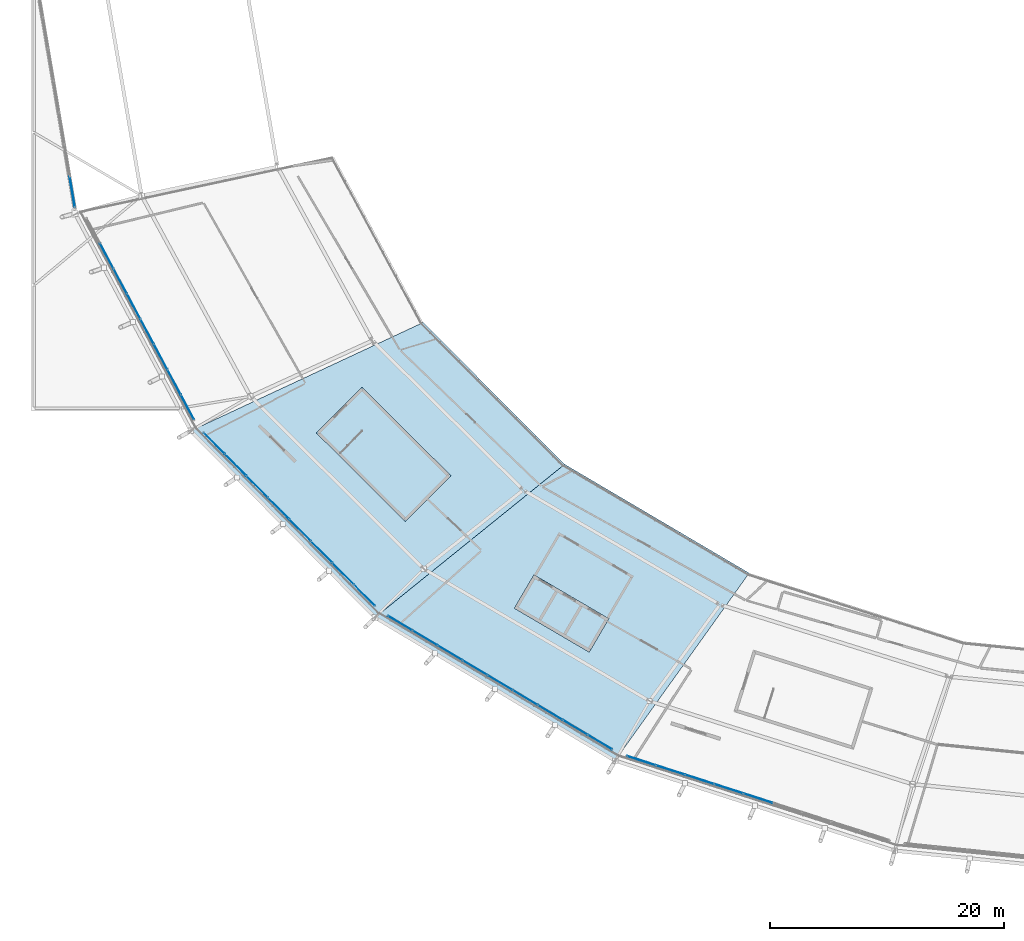
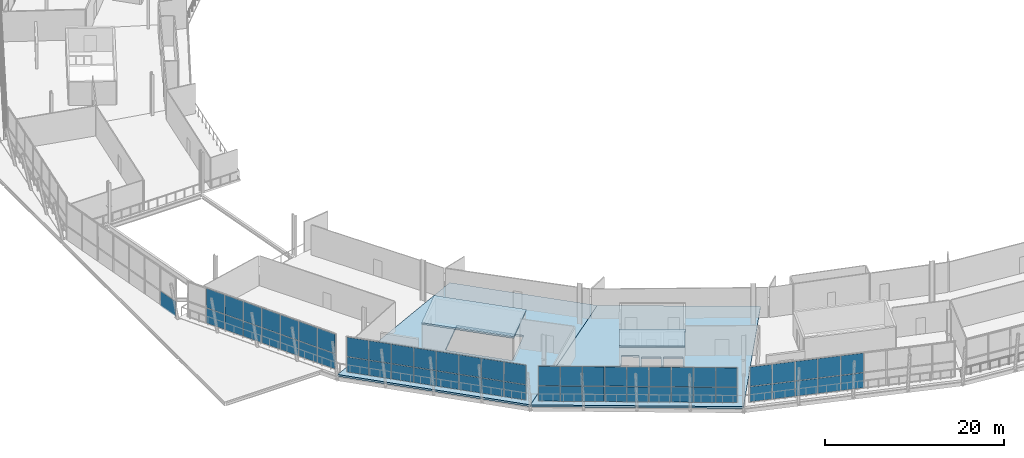
# One storey, part 54 of 99: 59 plates, 4 slabs, 5 elements without a shape of their own.
"""IFC4 building model written with IfcOpenShell, lengths in metres."""

from ifc_helpers import new_model, si_unit, direction, frame, origin, origin_2d, place, context, subcontext, project, spatial, polyline, rectangle, outline, extrude, material, layer, layer_set, type_object, element, aggregate, save


model = new_model("IFC4")

# Units and contexts
model_context = context("Model", 3, precision=1e-05, world=origin(), true_north=direction((0.0, 1.0)))
body_context = subcontext(model_context, "Body", "Model", "MODEL_VIEW")
ifc_project = project(units=[si_unit("LENGTHUNIT", "METRE"), si_unit("AREAUNIT", "SQUARE_METRE"), si_unit("VOLUMEUNIT", "CUBIC_METRE"), si_unit("PLANEANGLEUNIT", "RADIAN"), si_unit("MASSUNIT", "GRAM", prefix="KILO")], contexts=[model_context])

# Site, building, storey
site_placement = place(None, origin())
site = spatial("IfcSite", under=ifc_project, at=site_placement, CompositionType="ELEMENT")
building_placement = place(site_placement, origin())
building = spatial("IfcBuilding", under=site, at=building_placement, Name="Zlatoyarsky Gate Stadium", CompositionType="ELEMENT")
storey_placement = place(building_placement, frame((0.0, 0.0, 26.199951171875)))
storey = spatial("IfcBuildingStorey", under=building, at=storey_placement, Name="L05", CompositionType="ELEMENT", Elevation=26.199951171875)

# Curtain wall, plate
ifc_material_1 = material(Name="Thermally broken anodised aluminium curtain wall", Category="aluminium")
curtain_wall_type_1 = type_object("IfcCurtainWallType", Name="MONUMENTAL ARCHED GATE GLAZING UPPER", PredefinedType="USERDEFINED", material=ifc_material_1)
curtain_wall_1_placement = place(storey_placement, origin())
curtain_wall_1 = element("IfcCurtainWall", 1, at=curtain_wall_1_placement, inside=storey, type_object=curtain_wall_type_1, Name="Curtain wall CW-L05-12", ObjectType="ARCHED GATE GLAZING", PredefinedType="USERDEFINED")
ifc_material_2 = material(Name="Triple-glazed argon low-e architectural glass", Category="glass")
ifc_layer_1 = layer(ifc_material_2, 0.0458984375)
ifc_layer_set_1 = layer_set([ifc_layer_1], Name="Triple-glazed argon low-e architectural glass")
plate_type_1 = type_object("IfcPlateType", Name="ACOUSTIC LAMINATED GATE GLAZING PANEL 46", PredefinedType="CURTAIN_PANEL", material=ifc_layer_set_1)
plate_1_placement = place(storey_placement, frame((15.260498046875, 61.941650390625, -0.18505859375), z_axis=(0.0, 0.0, 1.0), x_axis=(0.166995052945, -0.985957733522, 0.0)))
plate_1 = element("IfcPlate", 2, at=plate_1_placement, type_object=plate_type_1, Name="CW-AG2 panel 7.1", PredefinedType="CURTAIN_PANEL", context=body_context, shape_type="SweptSolid", body=[
    extrude(rectangle(XDim=2.638916015625, YDim=0.0458984375, at=origin_2d()), origin(), (0.0, 0.0, 1.0), 2.03759765625),
])
aggregate(curtain_wall_1, [plate_1])

# Slabs
ifc_material_3 = material(Name="Concrete C40/50", Category="concrete")
ifc_layer_2 = layer(ifc_material_3, 0.239990234375)
ifc_layer_set_2 = layer_set([ifc_layer_2], Name="Concrete C40/50")
slab_type_1 = type_object("IfcSlabType", Name="CONCRETE CORE TOP CAP SLAB 240", PredefinedType="ROOF", material=ifc_layer_set_2)
slab_1_placement = place(storey_placement, frame((0.0, 0.0, 3.199951171875)))
element("IfcSlab", 3, at=slab_1_placement, inside=storey, type_object=slab_type_1, Name="ST-08 stair headhouse roof cap", PredefinedType="ROOF", context=body_context, shape_type="SweptSolid", body=[
    extrude(outline(polyline([(36.08154296875, 41.3798828125), (43.666748046875, 33.8330078125), (47.5458984375, 37.73193359375), (39.960693359375, 45.27880859375), (36.08154296875, 41.3798828125)])), origin(), (0.0, 0.0, 1.0), 0.239990234375),
])
slab_2_placement = place(storey_placement, frame((0.0, 0.0, 3.199951171875)))
element("IfcSlab", 4, at=slab_2_placement, inside=storey, type_object=slab_type_1, Name="C3 lift overrun top cap slab", PredefinedType="ROOF", context=body_context, shape_type="SweptSolid", body=[
    extrude(outline(polyline([(52.96923828125, 26.424560546875), (59.354248046875, 22.68408203125), (61.022216796875, 25.531494140625), (54.63720703125, 29.27197265625), (52.96923828125, 26.424560546875)])), origin(), (0.0, 0.0, 1.0), 0.239990234375),
])
ifc_layer_3 = layer(ifc_material_3, 0.260009765625)
ifc_layer_set_3 = layer_set([ifc_layer_3], Name="Concrete C40/50")
slab_type_2 = type_object("IfcSlabType", Name="CONCRETE SKYBOX SLAB 260", PredefinedType="FLOOR", material=ifc_layer_set_3)
slab_3_placement = place(storey_placement, frame((0.0, 0.0, -0.260009765625)))
element("IfcSlab", 5, at=slab_3_placement, inside=storey, type_object=slab_type_2, Name="L05 bowl sector 14 slab", PredefinedType="FLOOR", context=body_context, shape_type="SweptSolid", body=[
    extrude(outline(polyline([(57.260009765625, 38.705078125), (41.08251953125, 25.638916015625), (25.369140625, 41.56103515625), (45.18212890625, 50.800048828125), (57.260009765625, 38.705078125)]), holes=[polyline([(38.171875, 39.652587890625), (43.665771484375, 34.1865234375), (47.1923828125, 37.731201171875), (41.6982421875, 43.197265625), (38.171875, 39.652587890625)])]), origin(), (0.0, 0.0, 1.0), 0.260009765625),
])
slab_4_placement = place(storey_placement, frame((0.0, 0.0, -0.260009765625)))
element("IfcSlab", 6, at=slab_4_placement, inside=storey, type_object=slab_type_2, Name="L05 bowl sector 15 slab", PredefinedType="FLOOR", context=body_context, shape_type="SweptSolid", body=[
    extrude(outline(polyline([(73.0, 29.424072265625), (61.560791015625, 13.421630859375), (41.08251953125, 25.638916015625), (57.260009765625, 38.705078125), (73.0, 29.424072265625)]), holes=[polyline([(59.264892578125, 23.0263671875), (60.528564453125, 25.183349609375), (58.63037109375, 26.29541015625), (57.36669921875, 24.13818359375), (59.264892578125, 23.0263671875)]), polyline([(57.15087890625, 24.2646484375), (58.41455078125, 26.421875), (56.516357421875, 27.53369140625), (55.252685546875, 25.376708984375), (57.15087890625, 24.2646484375)]), polyline([(53.311279296875, 26.513916015625), (55.037109375, 25.5029296875), (56.452392578125, 27.9189453125), (54.7265625, 28.929931640625), (53.311279296875, 26.513916015625)])]), origin(), (0.0, 0.0, 1.0), 0.260009765625),
])

# Curtain wall, plates
curtain_wall_type_2 = type_object("IfcCurtainWallType", Name="UNITISED SKYBOX RING GLAZING L05", PredefinedType="USERDEFINED", material=ifc_material_1)
curtain_wall_2_placement = place(storey_placement, origin())
curtain_wall_2 = element("IfcCurtainWall", 7, at=curtain_wall_2_placement, inside=storey, type_object=curtain_wall_type_2, Name="Curtain wall CW-L05-13", ObjectType="UNITISED GLAZING", PredefinedType="USERDEFINED")
ifc_layer_4 = layer(ifc_material_2, 0.0380859375)
ifc_layer_set_4 = layer_set([ifc_layer_4], Name="Triple-glazed argon low-e architectural glass")
plate_type_2 = type_object("IfcPlateType", Name="TRIPLE GLAZED LOW E CURTAIN PANEL 38", PredefinedType="CURTAIN_PANEL", material=ifc_layer_set_4)
plate_2_placement = place(storey_placement, frame((18.197509765625, 56.48046875, 0.06494140625), z_axis=(0.0, 0.0, 1.0), x_axis=(0.470937199667, -0.882166738191, 0.0)))
plate_2 = element("IfcPlate", 8, at=plate_2_placement, type_object=plate_type_2, Name="CW-UG5 panel 2.1", PredefinedType="CURTAIN_PANEL", context=body_context, shape_type="SweptSolid", body=[
    extrude(rectangle(XDim=2.375732421875, YDim=0.0380859375, at=origin_2d()), origin(), (0.0, 0.0, 1.0), 2.052490234375),
])
plate_3_placement = place(storey_placement, frame((18.197509765625, 56.48046875, 2.1826171875), z_axis=(0.0, 0.0, 1.0), x_axis=(0.470937199667, -0.882166738191, 0.0)))
plate_3 = element("IfcPlate", 9, at=plate_3_placement, type_object=plate_type_2, Name="CW-UG5 panel 2.2", PredefinedType="CURTAIN_PANEL", context=body_context, shape_type="SweptSolid", body=[
    extrude(rectangle(XDim=2.375732421875, YDim=0.0380859375, at=origin_2d()), origin(), (0.0, 0.0, 1.0), 2.632568359375),
])
plate_4_placement = place(storey_placement, frame((19.346923828125, 54.3271484375, 0.06494140625), z_axis=(0.0, 0.0, 1.0), x_axis=(0.470937199667, -0.882166738191, 0.0)))
plate_4 = element("IfcPlate", 10, at=plate_4_placement, type_object=plate_type_2, Name="CW-UG5 panel 3.1", PredefinedType="CURTAIN_PANEL", context=body_context, shape_type="SweptSolid", body=[
    extrude(rectangle(XDim=2.375732421875, YDim=0.0380859375, at=origin_2d()), origin(), (0.0, 0.0, 1.0), 2.052490234375),
])
plate_5_placement = place(storey_placement, frame((19.346923828125, 54.3271484375, 2.1826171875), z_axis=(0.0, 0.0, 1.0), x_axis=(0.470937199667, -0.882166738191, 0.0)))
plate_5 = element("IfcPlate", 11, at=plate_5_placement, type_object=plate_type_2, Name="CW-UG5 panel 3.2", PredefinedType="CURTAIN_PANEL", context=body_context, shape_type="SweptSolid", body=[
    extrude(rectangle(XDim=2.375732421875, YDim=0.0380859375, at=origin_2d()), origin(), (0.0, 0.0, 1.0), 2.632568359375),
])
plate_6_placement = place(storey_placement, frame((20.49658203125, 52.174072265625, 0.06494140625), z_axis=(0.0, 0.0, 1.0), x_axis=(0.470937199667, -0.882166738191, 0.0)))
plate_6 = element("IfcPlate", 12, at=plate_6_placement, type_object=plate_type_2, Name="CW-UG5 panel 4.1", PredefinedType="CURTAIN_PANEL", context=body_context, shape_type="SweptSolid", body=[
    extrude(rectangle(XDim=2.375732421875, YDim=0.0380859375, at=origin_2d()), origin(), (0.0, 0.0, 1.0), 2.052490234375),
])
plate_7_placement = place(storey_placement, frame((20.49658203125, 52.174072265625, 2.1826171875), z_axis=(0.0, 0.0, 1.0), x_axis=(0.470937199667, -0.882166738191, 0.0)))
plate_7 = element("IfcPlate", 13, at=plate_7_placement, type_object=plate_type_2, Name="CW-UG5 panel 4.2", PredefinedType="CURTAIN_PANEL", context=body_context, shape_type="SweptSolid", body=[
    extrude(rectangle(XDim=2.375732421875, YDim=0.0380859375, at=origin_2d()), origin(), (0.0, 0.0, 1.0), 2.632568359375),
])
plate_8_placement = place(storey_placement, frame((21.64599609375, 50.020751953125, 0.06494140625), z_axis=(0.0, 0.0, 1.0), x_axis=(0.470937199667, -0.882166738191, 0.0)))
plate_8 = element("IfcPlate", 14, at=plate_8_placement, type_object=plate_type_2, Name="CW-UG5 panel 5.1", PredefinedType="CURTAIN_PANEL", context=body_context, shape_type="SweptSolid", body=[
    extrude(rectangle(XDim=2.375732421875, YDim=0.0380859375, at=origin_2d()), origin(), (0.0, 0.0, 1.0), 2.052490234375),
])
plate_9_placement = place(storey_placement, frame((21.64599609375, 50.020751953125, 2.1826171875), z_axis=(0.0, 0.0, 1.0), x_axis=(0.470937199667, -0.882166738191, 0.0)))
plate_9 = element("IfcPlate", 15, at=plate_9_placement, type_object=plate_type_2, Name="CW-UG5 panel 5.2", PredefinedType="CURTAIN_PANEL", context=body_context, shape_type="SweptSolid", body=[
    extrude(rectangle(XDim=2.375732421875, YDim=0.0380859375, at=origin_2d()), origin(), (0.0, 0.0, 1.0), 2.632568359375),
])
plate_10_placement = place(storey_placement, frame((22.79541015625, 47.867431640625, 0.06494140625), z_axis=(0.0, 0.0, 1.0), x_axis=(0.470937199667, -0.882166738191, 0.0)))
plate_10 = element("IfcPlate", 16, at=plate_10_placement, type_object=plate_type_2, Name="CW-UG5 panel 6.1", PredefinedType="CURTAIN_PANEL", context=body_context, shape_type="SweptSolid", body=[
    extrude(rectangle(XDim=2.375732421875, YDim=0.0380859375, at=origin_2d()), origin(), (0.0, 0.0, 1.0), 2.052490234375),
])
plate_11_placement = place(storey_placement, frame((22.79541015625, 47.867431640625, 2.1826171875), z_axis=(0.0, 0.0, 1.0), x_axis=(0.470937199667, -0.882166738191, 0.0)))
plate_11 = element("IfcPlate", 17, at=plate_11_placement, type_object=plate_type_2, Name="CW-UG5 panel 6.2", PredefinedType="CURTAIN_PANEL", context=body_context, shape_type="SweptSolid", body=[
    extrude(rectangle(XDim=2.375732421875, YDim=0.0380859375, at=origin_2d()), origin(), (0.0, 0.0, 1.0), 2.632568359375),
])
plate_12_placement = place(storey_placement, frame((23.945068359375, 45.71435546875, 0.06494140625), z_axis=(0.0, 0.0, 1.0), x_axis=(0.470937199667, -0.882166738191, 0.0)))
plate_12 = element("IfcPlate", 18, at=plate_12_placement, type_object=plate_type_2, Name="CW-UG5 panel 7.1", PredefinedType="CURTAIN_PANEL", context=body_context, shape_type="SweptSolid", body=[
    extrude(rectangle(XDim=2.375732421875, YDim=0.0380859375, at=origin_2d()), origin(), (0.0, 0.0, 1.0), 2.052490234375),
])
plate_13_placement = place(storey_placement, frame((23.945068359375, 45.71435546875, 2.1826171875), z_axis=(0.0, 0.0, 1.0), x_axis=(0.470937199667, -0.882166738191, 0.0)))
plate_13 = element("IfcPlate", 19, at=plate_13_placement, type_object=plate_type_2, Name="CW-UG5 panel 7.2", PredefinedType="CURTAIN_PANEL", context=body_context, shape_type="SweptSolid", body=[
    extrude(rectangle(XDim=2.375732421875, YDim=0.0380859375, at=origin_2d()), origin(), (0.0, 0.0, 1.0), 2.632568359375),
])
plate_14_placement = place(storey_placement, frame((25.0869140625, 43.575439453125, 0.06494140625), z_axis=(0.0, 0.0, 1.0), x_axis=(0.470937199667, -0.882166738191, 0.0)))
plate_14 = element("IfcPlate", 20, at=plate_14_placement, type_object=plate_type_2, Name="CW-UG5 panel 8.1", PredefinedType="CURTAIN_PANEL", context=body_context, shape_type="SweptSolid", body=[
    extrude(rectangle(XDim=2.34326171875, YDim=0.0380859375, at=origin_2d()), origin(), (0.0, 0.0, 1.0), 2.052490234375),
])
plate_15_placement = place(storey_placement, frame((25.0869140625, 43.575439453125, 2.1826171875), z_axis=(0.0, 0.0, 1.0), x_axis=(0.470937199667, -0.882166738191, 0.0)))
plate_15 = element("IfcPlate", 21, at=plate_15_placement, type_object=plate_type_2, Name="CW-UG5 panel 8.2", PredefinedType="CURTAIN_PANEL", context=body_context, shape_type="SweptSolid", body=[
    extrude(rectangle(XDim=2.34326171875, YDim=0.0380859375, at=origin_2d()), origin(), (0.0, 0.0, 1.0), 2.632568359375),
])
aggregate(curtain_wall_2, [plate_2, plate_3, plate_4, plate_5, plate_6, plate_7, plate_8, plate_9, plate_10, plate_11, plate_12, plate_13, plate_14, plate_15])

curtain_wall_3_placement = place(storey_placement, origin())
curtain_wall_3 = element("IfcCurtainWall", 22, at=curtain_wall_3_placement, inside=storey, type_object=curtain_wall_type_2, Name="Curtain wall CW-L05-14", ObjectType="UNITISED GLAZING", PredefinedType="USERDEFINED")
plate_16_placement = place(storey_placement, frame((27.36181640625, 40.509033203125, 0.06494140625), z_axis=(0.0, 0.0, 1.0), x_axis=(0.70315589898, -0.711035710587, 0.0)))
plate_16 = element("IfcPlate", 23, at=plate_16_placement, type_object=plate_type_2, Name="CW-UG5 panel 1.1", PredefinedType="CURTAIN_PANEL", context=body_context, shape_type="SweptSolid", body=[
    extrude(rectangle(XDim=2.513671875, YDim=0.0380859375, at=origin_2d()), origin(), (0.0, 0.0, 1.0), 2.052490234375),
])
plate_17_placement = place(storey_placement, frame((27.36181640625, 40.509033203125, 2.1826171875), z_axis=(0.0, 0.0, 1.0), x_axis=(0.70315589898, -0.711035710587, 0.0)))
plate_17 = element("IfcPlate", 24, at=plate_17_placement, type_object=plate_type_2, Name="CW-UG5 panel 1.2", PredefinedType="CURTAIN_PANEL", context=body_context, shape_type="SweptSolid", body=[
    extrude(rectangle(XDim=2.513671875, YDim=0.0380859375, at=origin_2d()), origin(), (0.0, 0.0, 1.0), 2.632568359375),
])
plate_18_placement = place(storey_placement, frame((29.1865234375, 38.663818359375, 0.06494140625), z_axis=(0.0, 0.0, 1.0), x_axis=(0.70315589898, -0.711035710587, 0.0)))
plate_18 = element("IfcPlate", 25, at=plate_18_placement, type_object=plate_type_2, Name="CW-UG5 panel 2.1", PredefinedType="CURTAIN_PANEL", context=body_context, shape_type="SweptSolid", body=[
    extrude(rectangle(XDim=2.546142578125, YDim=0.0380859375, at=origin_2d()), origin(), (0.0, 0.0, 1.0), 2.052490234375),
])
plate_19_placement = place(storey_placement, frame((29.1865234375, 38.663818359375, 2.1826171875), z_axis=(0.0, 0.0, 1.0), x_axis=(0.70315589898, -0.711035710587, 0.0)))
plate_19 = element("IfcPlate", 26, at=plate_19_placement, type_object=plate_type_2, Name="CW-UG5 panel 2.2", PredefinedType="CURTAIN_PANEL", context=body_context, shape_type="SweptSolid", body=[
    extrude(rectangle(XDim=2.546142578125, YDim=0.0380859375, at=origin_2d()), origin(), (0.0, 0.0, 1.0), 2.632568359375),
])
plate_20_placement = place(storey_placement, frame((31.0224609375, 36.807373046875, 0.06494140625), z_axis=(0.0, 0.0, 1.0), x_axis=(0.70315589898, -0.711035710587, 0.0)))
plate_20 = element("IfcPlate", 27, at=plate_20_placement, type_object=plate_type_2, Name="CW-UG5 panel 3.1", PredefinedType="CURTAIN_PANEL", context=body_context, shape_type="SweptSolid", body=[
    extrude(rectangle(XDim=2.546142578125, YDim=0.0380859375, at=origin_2d()), origin(), (0.0, 0.0, 1.0), 2.052490234375),
])
plate_21_placement = place(storey_placement, frame((31.0224609375, 36.807373046875, 2.1826171875), z_axis=(0.0, 0.0, 1.0), x_axis=(0.70315589898, -0.711035710587, 0.0)))
plate_21 = element("IfcPlate", 28, at=plate_21_placement, type_object=plate_type_2, Name="CW-UG5 panel 3.2", PredefinedType="CURTAIN_PANEL", context=body_context, shape_type="SweptSolid", body=[
    extrude(rectangle(XDim=2.546142578125, YDim=0.0380859375, at=origin_2d()), origin(), (0.0, 0.0, 1.0), 2.632568359375),
])
plate_22_placement = place(storey_placement, frame((32.8583984375, 34.95068359375, 0.06494140625), z_axis=(0.0, 0.0, 1.0), x_axis=(0.70315589898, -0.711035710587, 0.0)))
plate_22 = element("IfcPlate", 29, at=plate_22_placement, type_object=plate_type_2, Name="CW-UG5 panel 4.1", PredefinedType="CURTAIN_PANEL", context=body_context, shape_type="SweptSolid", body=[
    extrude(rectangle(XDim=2.546142578125, YDim=0.0380859375, at=origin_2d()), origin(), (0.0, 0.0, 1.0), 2.052490234375),
])
plate_23_placement = place(storey_placement, frame((32.8583984375, 34.95068359375, 2.1826171875), z_axis=(0.0, 0.0, 1.0), x_axis=(0.70315589898, -0.711035710587, 0.0)))
plate_23 = element("IfcPlate", 30, at=plate_23_placement, type_object=plate_type_2, Name="CW-UG5 panel 4.2", PredefinedType="CURTAIN_PANEL", context=body_context, shape_type="SweptSolid", body=[
    extrude(rectangle(XDim=2.546142578125, YDim=0.0380859375, at=origin_2d()), origin(), (0.0, 0.0, 1.0), 2.632568359375),
])
plate_24_placement = place(storey_placement, frame((34.6943359375, 33.09423828125, 0.06494140625), z_axis=(0.0, 0.0, 1.0), x_axis=(0.70315589898, -0.711035710587, 0.0)))
plate_24 = element("IfcPlate", 31, at=plate_24_placement, type_object=plate_type_2, Name="CW-UG5 panel 5.1", PredefinedType="CURTAIN_PANEL", context=body_context, shape_type="SweptSolid", body=[
    extrude(rectangle(XDim=2.546142578125, YDim=0.0380859375, at=origin_2d()), origin(), (0.0, 0.0, 1.0), 2.052490234375),
])
plate_25_placement = place(storey_placement, frame((34.6943359375, 33.09423828125, 2.1826171875), z_axis=(0.0, 0.0, 1.0), x_axis=(0.70315589898, -0.711035710587, 0.0)))
plate_25 = element("IfcPlate", 32, at=plate_25_placement, type_object=plate_type_2, Name="CW-UG5 panel 5.2", PredefinedType="CURTAIN_PANEL", context=body_context, shape_type="SweptSolid", body=[
    extrude(rectangle(XDim=2.546142578125, YDim=0.0380859375, at=origin_2d()), origin(), (0.0, 0.0, 1.0), 2.632568359375),
])
plate_26_placement = place(storey_placement, frame((36.530517578125, 31.237548828125, 0.06494140625), z_axis=(0.0, 0.0, 1.0), x_axis=(0.70315589898, -0.711035710587, 0.0)))
plate_26 = element("IfcPlate", 33, at=plate_26_placement, type_object=plate_type_2, Name="CW-UG5 panel 6.1", PredefinedType="CURTAIN_PANEL", context=body_context, shape_type="SweptSolid", body=[
    extrude(rectangle(XDim=2.546142578125, YDim=0.0380859375, at=origin_2d()), origin(), (0.0, 0.0, 1.0), 2.052490234375),
])
plate_27_placement = place(storey_placement, frame((36.530517578125, 31.237548828125, 2.1826171875), z_axis=(0.0, 0.0, 1.0), x_axis=(0.70315589898, -0.711035710587, 0.0)))
plate_27 = element("IfcPlate", 34, at=plate_27_placement, type_object=plate_type_2, Name="CW-UG5 panel 6.2", PredefinedType="CURTAIN_PANEL", context=body_context, shape_type="SweptSolid", body=[
    extrude(rectangle(XDim=2.546142578125, YDim=0.0380859375, at=origin_2d()), origin(), (0.0, 0.0, 1.0), 2.632568359375),
])
plate_28_placement = place(storey_placement, frame((38.366455078125, 29.380859375, 0.06494140625), z_axis=(0.0, 0.0, 1.0), x_axis=(0.70315589898, -0.711035710587, 0.0)))
plate_28 = element("IfcPlate", 35, at=plate_28_placement, type_object=plate_type_2, Name="CW-UG5 panel 7.1", PredefinedType="CURTAIN_PANEL", context=body_context, shape_type="SweptSolid", body=[
    extrude(rectangle(XDim=2.546142578125, YDim=0.0380859375, at=origin_2d()), origin(), (0.0, 0.0, 1.0), 2.052490234375),
])
plate_29_placement = place(storey_placement, frame((38.366455078125, 29.380859375, 2.1826171875), z_axis=(0.0, 0.0, 1.0), x_axis=(0.70315589898, -0.711035710587, 0.0)))
plate_29 = element("IfcPlate", 36, at=plate_29_placement, type_object=plate_type_2, Name="CW-UG5 panel 7.2", PredefinedType="CURTAIN_PANEL", context=body_context, shape_type="SweptSolid", body=[
    extrude(rectangle(XDim=2.546142578125, YDim=0.0380859375, at=origin_2d()), origin(), (0.0, 0.0, 1.0), 2.632568359375),
])
plate_30_placement = place(storey_placement, frame((40.191162109375, 27.535888671875, 0.06494140625), z_axis=(0.0, 0.0, 1.0), x_axis=(0.70315589898, -0.711035710587, 0.0)))
plate_30 = element("IfcPlate", 37, at=plate_30_placement, type_object=plate_type_2, Name="CW-UG5 panel 8.1", PredefinedType="CURTAIN_PANEL", context=body_context, shape_type="SweptSolid", body=[
    extrude(rectangle(XDim=2.513671875, YDim=0.0380859375, at=origin_2d()), origin(), (0.0, 0.0, 1.0), 2.052490234375),
])
plate_31_placement = place(storey_placement, frame((40.191162109375, 27.535888671875, 2.1826171875), z_axis=(0.0, 0.0, 1.0), x_axis=(0.70315589898, -0.711035710587, 0.0)))
plate_31 = element("IfcPlate", 38, at=plate_31_placement, type_object=plate_type_2, Name="CW-UG5 panel 8.2", PredefinedType="CURTAIN_PANEL", context=body_context, shape_type="SweptSolid", body=[
    extrude(rectangle(XDim=2.513671875, YDim=0.0380859375, at=origin_2d()), origin(), (0.0, 0.0, 1.0), 2.632568359375),
])
aggregate(curtain_wall_3, [plate_16, plate_17, plate_18, plate_19, plate_20, plate_21, plate_22, plate_23, plate_24, plate_25, plate_26, plate_27, plate_28, plate_29, plate_30, plate_31])

curtain_wall_4_placement = place(storey_placement, origin())
curtain_wall_4 = element("IfcCurtainWall", 39, at=curtain_wall_4_placement, inside=storey, type_object=curtain_wall_type_2, Name="Curtain wall CW-L05-15", ObjectType="UNITISED GLAZING", PredefinedType="USERDEFINED")
plate_32_placement = place(storey_placement, frame((43.217529296875, 25.157470703125, 0.06494140625), z_axis=(0.0, 0.0, 1.0), x_axis=(0.859237337802, -0.511577166542, 0.0)))
plate_32 = element("IfcPlate", 40, at=plate_32_placement, type_object=plate_type_2, Name="CW-UG5 panel 1.1", PredefinedType="CURTAIN_PANEL", context=body_context, shape_type="SweptSolid", body=[
    extrude(rectangle(XDim=2.387451171875, YDim=0.0380859375, at=origin_2d()), origin(), (0.0, 0.0, 1.0), 2.052490234375),
])
plate_33_placement = place(storey_placement, frame((43.217529296875, 25.157470703125, 2.1826171875), z_axis=(0.0, 0.0, 1.0), x_axis=(0.859237337802, -0.511577166542, 0.0)))
plate_33 = element("IfcPlate", 41, at=plate_33_placement, type_object=plate_type_2, Name="CW-UG5 panel 1.2", PredefinedType="CURTAIN_PANEL", context=body_context, shape_type="SweptSolid", body=[
    extrude(rectangle(XDim=2.387451171875, YDim=0.0380859375, at=origin_2d()), origin(), (0.0, 0.0, 1.0), 2.632568359375),
])
plate_34_placement = place(storey_placement, frame((45.3388671875, 23.89453125, 0.06494140625), z_axis=(0.0, 0.0, 1.0), x_axis=(0.859237337802, -0.511577166542, 0.0)))
plate_34 = element("IfcPlate", 42, at=plate_34_placement, type_object=plate_type_2, Name="CW-UG5 panel 2.1", PredefinedType="CURTAIN_PANEL", context=body_context, shape_type="SweptSolid", body=[
    extrude(rectangle(XDim=2.419921875, YDim=0.0380859375, at=origin_2d()), origin(), (0.0, 0.0, 1.0), 2.052490234375),
])
plate_35_placement = place(storey_placement, frame((45.3388671875, 23.89453125, 2.1826171875), z_axis=(0.0, 0.0, 1.0), x_axis=(0.859237337802, -0.511577166542, 0.0)))
plate_35 = element("IfcPlate", 43, at=plate_35_placement, type_object=plate_type_2, Name="CW-UG5 panel 2.2", PredefinedType="CURTAIN_PANEL", context=body_context, shape_type="SweptSolid", body=[
    extrude(rectangle(XDim=2.419921875, YDim=0.0380859375, at=origin_2d()), origin(), (0.0, 0.0, 1.0), 2.632568359375),
])
plate_36_placement = place(storey_placement, frame((47.473876953125, 22.623291015625, 0.06494140625), z_axis=(0.0, 0.0, 1.0), x_axis=(0.859237337802, -0.511577166542, 0.0)))
plate_36 = element("IfcPlate", 44, at=plate_36_placement, type_object=plate_type_2, Name="CW-UG5 panel 3.1", PredefinedType="CURTAIN_PANEL", context=body_context, shape_type="SweptSolid", body=[
    extrude(rectangle(XDim=2.419921875, YDim=0.0380859375, at=origin_2d()), origin(), (0.0, 0.0, 1.0), 2.052490234375),
])
plate_37_placement = place(storey_placement, frame((47.473876953125, 22.623291015625, 2.1826171875), z_axis=(0.0, 0.0, 1.0), x_axis=(0.859237337802, -0.511577166542, 0.0)))
plate_37 = element("IfcPlate", 45, at=plate_37_placement, type_object=plate_type_2, Name="CW-UG5 panel 3.2", PredefinedType="CURTAIN_PANEL", context=body_context, shape_type="SweptSolid", body=[
    extrude(rectangle(XDim=2.419921875, YDim=0.0380859375, at=origin_2d()), origin(), (0.0, 0.0, 1.0), 2.632568359375),
])
plate_38_placement = place(storey_placement, frame((49.609130859375, 21.35205078125, 0.06494140625), z_axis=(0.0, 0.0, 1.0), x_axis=(0.859237337802, -0.511577166542, 0.0)))
plate_38 = element("IfcPlate", 46, at=plate_38_placement, type_object=plate_type_2, Name="CW-UG5 panel 4.1", PredefinedType="CURTAIN_PANEL", context=body_context, shape_type="SweptSolid", body=[
    extrude(rectangle(XDim=2.419921875, YDim=0.0380859375, at=origin_2d()), origin(), (0.0, 0.0, 1.0), 2.052490234375),
])
plate_39_placement = place(storey_placement, frame((49.609130859375, 21.35205078125, 2.1826171875), z_axis=(0.0, 0.0, 1.0), x_axis=(0.859237337802, -0.511577166542, 0.0)))
plate_39 = element("IfcPlate", 47, at=plate_39_placement, type_object=plate_type_2, Name="CW-UG5 panel 4.2", PredefinedType="CURTAIN_PANEL", context=body_context, shape_type="SweptSolid", body=[
    extrude(rectangle(XDim=2.419921875, YDim=0.0380859375, at=origin_2d()), origin(), (0.0, 0.0, 1.0), 2.632568359375),
])
plate_40_placement = place(storey_placement, frame((51.744140625, 20.080810546875, 0.06494140625), z_axis=(0.0, 0.0, 1.0), x_axis=(0.859237337802, -0.511577166542, 0.0)))
plate_40 = element("IfcPlate", 48, at=plate_40_placement, type_object=plate_type_2, Name="CW-UG5 panel 5.1", PredefinedType="CURTAIN_PANEL", context=body_context, shape_type="SweptSolid", body=[
    extrude(rectangle(XDim=2.419921875, YDim=0.0380859375, at=origin_2d()), origin(), (0.0, 0.0, 1.0), 2.052490234375),
])
plate_41_placement = place(storey_placement, frame((51.744140625, 20.080810546875, 2.1826171875), z_axis=(0.0, 0.0, 1.0), x_axis=(0.859237337802, -0.511577166542, 0.0)))
plate_41 = element("IfcPlate", 49, at=plate_41_placement, type_object=plate_type_2, Name="CW-UG5 panel 5.2", PredefinedType="CURTAIN_PANEL", context=body_context, shape_type="SweptSolid", body=[
    extrude(rectangle(XDim=2.419921875, YDim=0.0380859375, at=origin_2d()), origin(), (0.0, 0.0, 1.0), 2.632568359375),
])
plate_42_placement = place(storey_placement, frame((53.87939453125, 18.8095703125, 0.06494140625), z_axis=(0.0, 0.0, 1.0), x_axis=(0.859237337802, -0.511577166542, 0.0)))
plate_42 = element("IfcPlate", 50, at=plate_42_placement, type_object=plate_type_2, Name="CW-UG5 panel 6.1", PredefinedType="CURTAIN_PANEL", context=body_context, shape_type="SweptSolid", body=[
    extrude(rectangle(XDim=2.419921875, YDim=0.0380859375, at=origin_2d()), origin(), (0.0, 0.0, 1.0), 2.052490234375),
])
plate_43_placement = place(storey_placement, frame((53.87939453125, 18.8095703125, 2.1826171875), z_axis=(0.0, 0.0, 1.0), x_axis=(0.859237337802, -0.511577166542, 0.0)))
plate_43 = element("IfcPlate", 51, at=plate_43_placement, type_object=plate_type_2, Name="CW-UG5 panel 6.2", PredefinedType="CURTAIN_PANEL", context=body_context, shape_type="SweptSolid", body=[
    extrude(rectangle(XDim=2.419921875, YDim=0.0380859375, at=origin_2d()), origin(), (0.0, 0.0, 1.0), 2.632568359375),
])
plate_44_placement = place(storey_placement, frame((56.0146484375, 17.538330078125, 0.06494140625), z_axis=(0.0, 0.0, 1.0), x_axis=(0.859237337802, -0.511577166542, 0.0)))
plate_44 = element("IfcPlate", 52, at=plate_44_placement, type_object=plate_type_2, Name="CW-UG5 panel 7.1", PredefinedType="CURTAIN_PANEL", context=body_context, shape_type="SweptSolid", body=[
    extrude(rectangle(XDim=2.419921875, YDim=0.0380859375, at=origin_2d()), origin(), (0.0, 0.0, 1.0), 2.052490234375),
])
plate_45_placement = place(storey_placement, frame((56.0146484375, 17.538330078125, 2.1826171875), z_axis=(0.0, 0.0, 1.0), x_axis=(0.859237337802, -0.511577166542, 0.0)))
plate_45 = element("IfcPlate", 53, at=plate_45_placement, type_object=plate_type_2, Name="CW-UG5 panel 7.2", PredefinedType="CURTAIN_PANEL", context=body_context, shape_type="SweptSolid", body=[
    extrude(rectangle(XDim=2.419921875, YDim=0.0380859375, at=origin_2d()), origin(), (0.0, 0.0, 1.0), 2.632568359375),
])
plate_46_placement = place(storey_placement, frame((58.149658203125, 16.26708984375, 0.06494140625), z_axis=(0.0, 0.0, 1.0), x_axis=(0.859237337802, -0.511577166542, 0.0)))
plate_46 = element("IfcPlate", 54, at=plate_46_placement, type_object=plate_type_2, Name="CW-UG5 panel 8.1", PredefinedType="CURTAIN_PANEL", context=body_context, shape_type="SweptSolid", body=[
    extrude(rectangle(XDim=2.419921875, YDim=0.0380859375, at=origin_2d()), origin(), (0.0, 0.0, 1.0), 2.052490234375),
])
plate_47_placement = place(storey_placement, frame((58.149658203125, 16.26708984375, 2.1826171875), z_axis=(0.0, 0.0, 1.0), x_axis=(0.859237337802, -0.511577166542, 0.0)))
plate_47 = element("IfcPlate", 55, at=plate_47_placement, type_object=plate_type_2, Name="CW-UG5 panel 8.2", PredefinedType="CURTAIN_PANEL", context=body_context, shape_type="SweptSolid", body=[
    extrude(rectangle(XDim=2.419921875, YDim=0.0380859375, at=origin_2d()), origin(), (0.0, 0.0, 1.0), 2.632568359375),
])
plate_48_placement = place(storey_placement, frame((60.270751953125, 15.004150390625, 0.06494140625), z_axis=(0.0, 0.0, 1.0), x_axis=(0.859237337802, -0.511577166542, 0.0)))
plate_48 = element("IfcPlate", 56, at=plate_48_placement, type_object=plate_type_2, Name="CW-UG5 panel 9.1", PredefinedType="CURTAIN_PANEL", context=body_context, shape_type="SweptSolid", body=[
    extrude(rectangle(XDim=2.387451171875, YDim=0.0380859375, at=origin_2d()), origin(), (0.0, 0.0, 1.0), 2.052490234375),
])
plate_49_placement = place(storey_placement, frame((60.270751953125, 15.004150390625, 2.1826171875), z_axis=(0.0, 0.0, 1.0), x_axis=(0.859237337802, -0.511577166542, 0.0)))
plate_49 = element("IfcPlate", 57, at=plate_49_placement, type_object=plate_type_2, Name="CW-UG5 panel 9.2", PredefinedType="CURTAIN_PANEL", context=body_context, shape_type="SweptSolid", body=[
    extrude(rectangle(XDim=2.387451171875, YDim=0.0380859375, at=origin_2d()), origin(), (0.0, 0.0, 1.0), 2.632568359375),
])
aggregate(curtain_wall_4, [plate_32, plate_33, plate_34, plate_35, plate_36, plate_37, plate_38, plate_39, plate_40, plate_41, plate_42, plate_43, plate_44, plate_45, plate_46, plate_47, plate_48, plate_49])

curtain_wall_5_placement = place(storey_placement, origin())
curtain_wall_5 = element("IfcCurtainWall", 58, at=curtain_wall_5_placement, inside=storey, type_object=curtain_wall_type_2, Name="Curtain wall CW-L05-16", ObjectType="UNITISED GLAZING", PredefinedType="USERDEFINED")
plate_50_placement = place(storey_placement, frame((63.7919921875, 13.42333984375, 0.06494140625), z_axis=(0.0, 0.0, 1.0), x_axis=(0.952038580657, -0.305978007283, 0.0)))
plate_50 = element("IfcPlate", 59, at=plate_50_placement, type_object=plate_type_2, Name="CW-UG5 panel 1.1", PredefinedType="CURTAIN_PANEL", context=body_context, shape_type="SweptSolid", body=[
    extrude(rectangle(XDim=2.521484375, YDim=0.0380859375, at=origin_2d()), origin(), (0.0, 0.0, 1.0), 2.052490234375),
])
plate_51_placement = place(storey_placement, frame((63.7919921875, 13.42333984375, 2.1826171875), z_axis=(0.0, 0.0, 1.0), x_axis=(0.952038580657, -0.305978007283, 0.0)))
plate_51 = element("IfcPlate", 60, at=plate_51_placement, type_object=plate_type_2, Name="CW-UG5 panel 1.2", PredefinedType="CURTAIN_PANEL", context=body_context, shape_type="SweptSolid", body=[
    extrude(rectangle(XDim=2.521484375, YDim=0.0380859375, at=origin_2d()), origin(), (0.0, 0.0, 1.0), 2.632568359375),
])
plate_52_placement = place(storey_placement, frame((66.269775390625, 12.626953125, 0.06494140625), z_axis=(0.0, 0.0, 1.0), x_axis=(0.952038580657, -0.305978007283, 0.0)))
plate_52 = element("IfcPlate", 61, at=plate_52_placement, type_object=plate_type_2, Name="CW-UG5 panel 2.1", PredefinedType="CURTAIN_PANEL", context=body_context, shape_type="SweptSolid", body=[
    extrude(rectangle(XDim=2.553955078125, YDim=0.0380859375, at=origin_2d()), origin(), (0.0, 0.0, 1.0), 2.052490234375),
])
plate_53_placement = place(storey_placement, frame((66.269775390625, 12.626953125, 2.1826171875), z_axis=(0.0, 0.0, 1.0), x_axis=(0.952038580657, -0.305978007283, 0.0)))
plate_53 = element("IfcPlate", 62, at=plate_53_placement, type_object=plate_type_2, Name="CW-UG5 panel 2.2", PredefinedType="CURTAIN_PANEL", context=body_context, shape_type="SweptSolid", body=[
    extrude(rectangle(XDim=2.553955078125, YDim=0.0380859375, at=origin_2d()), origin(), (0.0, 0.0, 1.0), 2.632568359375),
])
plate_54_placement = place(storey_placement, frame((68.763427734375, 11.825439453125, 0.06494140625), z_axis=(0.0, 0.0, 1.0), x_axis=(0.952038580657, -0.305978007283, 0.0)))
plate_54 = element("IfcPlate", 63, at=plate_54_placement, type_object=plate_type_2, Name="CW-UG5 panel 3.1", PredefinedType="CURTAIN_PANEL", context=body_context, shape_type="SweptSolid", body=[
    extrude(rectangle(XDim=2.553955078125, YDim=0.0380859375, at=origin_2d()), origin(), (0.0, 0.0, 1.0), 2.052490234375),
])
plate_55_placement = place(storey_placement, frame((68.763427734375, 11.825439453125, 2.1826171875), z_axis=(0.0, 0.0, 1.0), x_axis=(0.952038580657, -0.305978007283, 0.0)))
plate_55 = element("IfcPlate", 64, at=plate_55_placement, type_object=plate_type_2, Name="CW-UG5 panel 3.2", PredefinedType="CURTAIN_PANEL", context=body_context, shape_type="SweptSolid", body=[
    extrude(rectangle(XDim=2.553955078125, YDim=0.0380859375, at=origin_2d()), origin(), (0.0, 0.0, 1.0), 2.632568359375),
])
plate_56_placement = place(storey_placement, frame((71.2568359375, 11.024169921875, 0.06494140625), z_axis=(0.0, 0.0, 1.0), x_axis=(0.952038580657, -0.305978007283, 0.0)))
plate_56 = element("IfcPlate", 65, at=plate_56_placement, type_object=plate_type_2, Name="CW-UG5 panel 4.1", PredefinedType="CURTAIN_PANEL", context=body_context, shape_type="SweptSolid", body=[
    extrude(rectangle(XDim=2.553955078125, YDim=0.0380859375, at=origin_2d()), origin(), (0.0, 0.0, 1.0), 2.052490234375),
])
plate_57_placement = place(storey_placement, frame((71.2568359375, 11.024169921875, 2.1826171875), z_axis=(0.0, 0.0, 1.0), x_axis=(0.952038580657, -0.305978007283, 0.0)))
plate_57 = element("IfcPlate", 66, at=plate_57_placement, type_object=plate_type_2, Name="CW-UG5 panel 4.2", PredefinedType="CURTAIN_PANEL", context=body_context, shape_type="SweptSolid", body=[
    extrude(rectangle(XDim=2.553955078125, YDim=0.0380859375, at=origin_2d()), origin(), (0.0, 0.0, 1.0), 2.632568359375),
])
plate_58_placement = place(storey_placement, frame((73.750244140625, 10.22265625, 0.06494140625), z_axis=(0.0, 0.0, 1.0), x_axis=(0.952038580657, -0.305978007283, 0.0)))
plate_58 = element("IfcPlate", 67, at=plate_58_placement, type_object=plate_type_2, Name="CW-UG5 panel 5.1", PredefinedType="CURTAIN_PANEL", context=body_context, shape_type="SweptSolid", body=[
    extrude(rectangle(XDim=2.553955078125, YDim=0.0380859375, at=origin_2d()), origin(), (0.0, 0.0, 1.0), 2.052490234375),
])
plate_59_placement = place(storey_placement, frame((73.750244140625, 10.22265625, 2.1826171875), z_axis=(0.0, 0.0, 1.0), x_axis=(0.952038580657, -0.305978007283, 0.0)))
plate_59 = element("IfcPlate", 68, at=plate_59_placement, type_object=plate_type_2, Name="CW-UG5 panel 5.2", PredefinedType="CURTAIN_PANEL", context=body_context, shape_type="SweptSolid", body=[
    extrude(rectangle(XDim=2.553955078125, YDim=0.0380859375, at=origin_2d()), origin(), (0.0, 0.0, 1.0), 2.632568359375),
])
aggregate(curtain_wall_5, [plate_50, plate_51, plate_52, plate_53, plate_54, plate_55, plate_56, plate_57, plate_58, plate_59])

save(model, "model.ifc")
